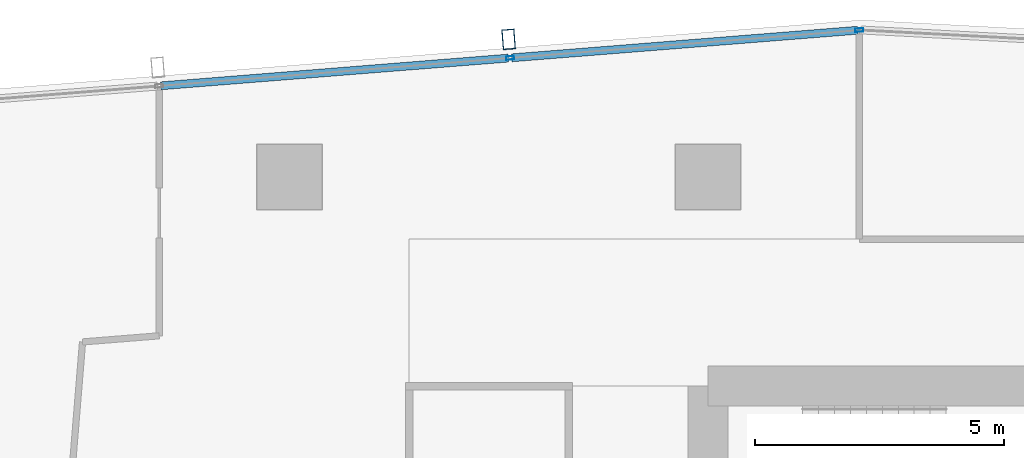
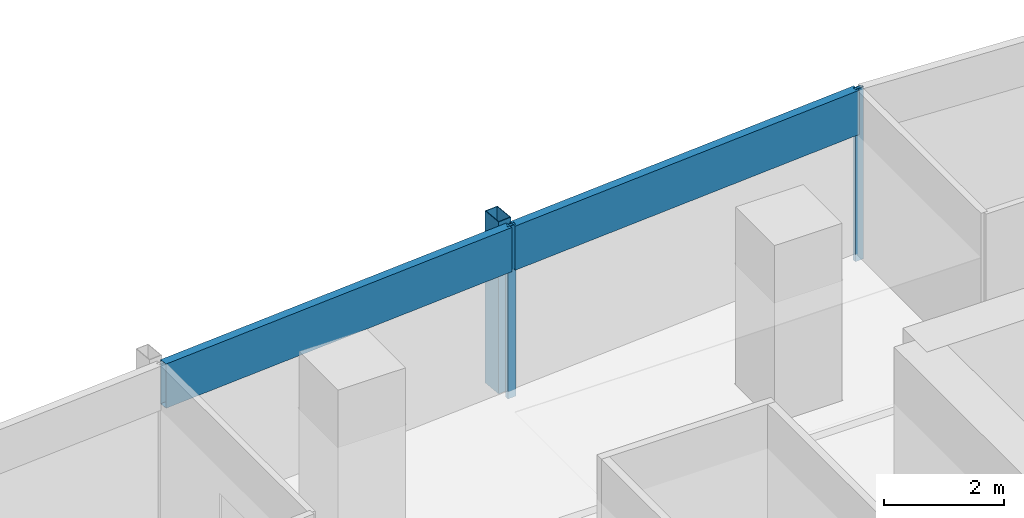
# One storey, part 16 of 30: 5 members, 1 element without a shape of its own.
"""IFC4 building model written with IfcOpenShell, lengths in metres."""

from ifc_helpers import new_model, si_unit, direction, frame, origin, origin_2d, place, context, subcontext, project, spatial, hollow_rectangle, extrude, material, material_profile, profile_set, type_object, element, aggregate, save


model = new_model("IFC4")

# Units and contexts
model_context = context("Model", 3, precision=1e-05, world=origin(), true_north=direction((0.0, 1.0)))
body_context = subcontext(model_context, "Body", "Model", "MODEL_VIEW")
ifc_project = project(units=[si_unit("LENGTHUNIT", "METRE"), si_unit("AREAUNIT", "SQUARE_METRE"), si_unit("VOLUMEUNIT", "CUBIC_METRE"), si_unit("PLANEANGLEUNIT", "RADIAN"), si_unit("MASSUNIT", "GRAM", prefix="KILO")], contexts=[model_context])

# Site, building, storey
site_placement = place(None, origin())
site = spatial("IfcSite", under=ifc_project, at=site_placement, CompositionType="ELEMENT")
building_placement = place(site_placement, origin())
building = spatial("IfcBuilding", under=site, at=building_placement, Name="Rekha Terrace Tower", CompositionType="ELEMENT")
storey_placement = place(building_placement, frame((0.0, 0.0, 265.10009765625)))
storey = spatial("IfcBuildingStorey", under=building, at=storey_placement, Name="L67", CompositionType="ELEMENT", Elevation=265.10009765625)

# Curtain wall, members
ifc_material_1 = material(Name="Aluminium framing", Category="aluminium")
curtain_wall_type = type_object("IfcCurtainWallType", Name="CW3 north unitised glazing", PredefinedType="USERDEFINED", material=ifc_material_1)
curtain_wall_placement = place(storey_placement, origin())
curtain_wall = element("IfcCurtainWall", 1, at=curtain_wall_placement, inside=storey, type_object=curtain_wall_type, Name="CW3 unitised curtain wall", ObjectType="UNITISED CURTAIN WALL", PredefinedType="USERDEFINED")
ifc_material_2 = material(Name="Steel S355 with fluorocarbon finish", Category="steel")
ifc_material_profile_1 = material_profile(ifc_material_2, hollow_rectangle(XDim=0.25, YDim=0.39990234375, WallThickness=0.012451171875, at=origin_2d()), Name="RHS400x250x12.5")
ifc_profile_set_1 = profile_set([ifc_material_profile_1], Name="Steel S355 with fluorocarbon finish")
member_type_1 = type_object("IfcMemberType", Name="BL1 facade blade RHS 400 x 250", PredefinedType="USERDEFINED", material=ifc_profile_set_1)
member_1_placement = place(storey_placement, frame((21.197021484375, 53.16162109375, 0.0), z_axis=(0.0, 0.0, 1.0), x_axis=(-0.996836012392, -0.079485623849, 0.0)))
member_1 = element("IfcMember", 2, at=member_1_placement, type_object=member_type_1, Name="Facade blade", ObjectType="FACADE BLADE", PredefinedType="USERDEFINED", context=body_context, shape_type="SweptSolid", body=[
    extrude(hollow_rectangle(XDim=0.25, YDim=0.39990234375, WallThickness=0.012451171875, at=origin_2d()), origin(), (0.0, 0.0, 1.0), 3.5),
])
ifc_material_3 = material(Name="Aluminium mullion section", Category="aluminium")
ifc_material_profile_2 = material_profile(ifc_material_3, hollow_rectangle(XDim=0.070068359375, YDim=0.159912109375, WallThickness=0.00390625, at=origin_2d()), Name="AL RHS 70x160")
ifc_profile_set_2 = profile_set([ifc_material_profile_2], Name="Aluminium mullion section")
member_type_2 = type_object("IfcMemberType", Name="CW3 mullion RHS 70 x 160", PredefinedType="MULLION", material=ifc_profile_set_2)
member_2_placement = place(storey_placement, frame((28.23779296875, 53.3466796875, 0.0), z_axis=(0.0, 0.0, 1.0), x_axis=(0.07948505154, -0.996836058026, 0.0)))
member_2 = element("IfcMember", 3, at=member_2_placement, type_object=member_type_2, Name="CW3 mullion 1", PredefinedType="MULLION", context=body_context, shape_type="SweptSolid", body=[
    extrude(hollow_rectangle(XDim=0.070068359375, YDim=0.159912109375, WallThickness=0.00390625, at=origin_2d()), origin(), (0.0, 0.0, 1.0), 3.5),
])
member_3_placement = place(storey_placement, frame((21.22705078125, 52.787841796875, 0.0), z_axis=(0.0, 0.0, 1.0), x_axis=(0.07948505154, -0.996836058026, 0.0)))
member_3 = element("IfcMember", 4, at=member_3_placement, type_object=member_type_2, Name="CW3 mullion 2", PredefinedType="MULLION", context=body_context, shape_type="SweptSolid", body=[
    extrude(hollow_rectangle(XDim=0.070068359375, YDim=0.159912109375, WallThickness=0.00390625, at=origin_2d()), origin(), (0.0, 0.0, 1.0), 3.5),
])
ifc_material_4 = material(Name="Insulated aluminium spandrel box", Category="aluminium")
ifc_material_profile_3 = material_profile(ifc_material_4, hollow_rectangle(XDim=0.159912109375, YDim=0.89990234375, WallThickness=0.0029296875, at=origin_2d()), Name="AL SPANDREL BOX 160x900")
ifc_profile_set_3 = profile_set([ifc_material_profile_3], Name="Insulated aluminium spandrel box")
member_type_3 = type_object("IfcMemberType", Name="CW3 spandrel transom 160 x 900", PredefinedType="USERDEFINED", material=ifc_profile_set_3)
member_4_placement = place(storey_placement, frame((28.202880859375, 53.343994140625, 3.0498046875), z_axis=(-0.996836091906, -0.079484626652, 0.0), x_axis=(0.079484626652, -0.996836091906, 0.0)))
member_4 = element("IfcMember", 5, at=member_4_placement, type_object=member_type_3, Name="CW3 spandrel transom 1", ObjectType="TRANSOM", PredefinedType="USERDEFINED", context=body_context, shape_type="SweptSolid", body=[
    extrude(hollow_rectangle(XDim=0.159912109375, YDim=0.89990234375, WallThickness=0.0029296875, at=origin_2d()), origin(), (0.0, 0.0, 1.0), 6.963134765625),
])
member_5_placement = place(storey_placement, frame((21.192138671875, 52.784912109375, 3.0498046875), z_axis=(-0.996837204037, -0.079470677917, 0.0), x_axis=(0.079470677917, -0.996837204037, 0.0)))
member_5 = element("IfcMember", 6, at=member_5_placement, type_object=member_type_3, Name="CW3 spandrel transom 2", ObjectType="TRANSOM", PredefinedType="USERDEFINED", context=body_context, shape_type="SweptSolid", body=[
    extrude(hollow_rectangle(XDim=0.159912109375, YDim=0.89990234375, WallThickness=0.0029296875, at=origin_2d()), origin(), (0.0, 0.0, 1.0), 6.998291015625),
])
aggregate(curtain_wall, [member_2, member_3, member_4, member_5, member_1])

save(model, "model.ifc")
